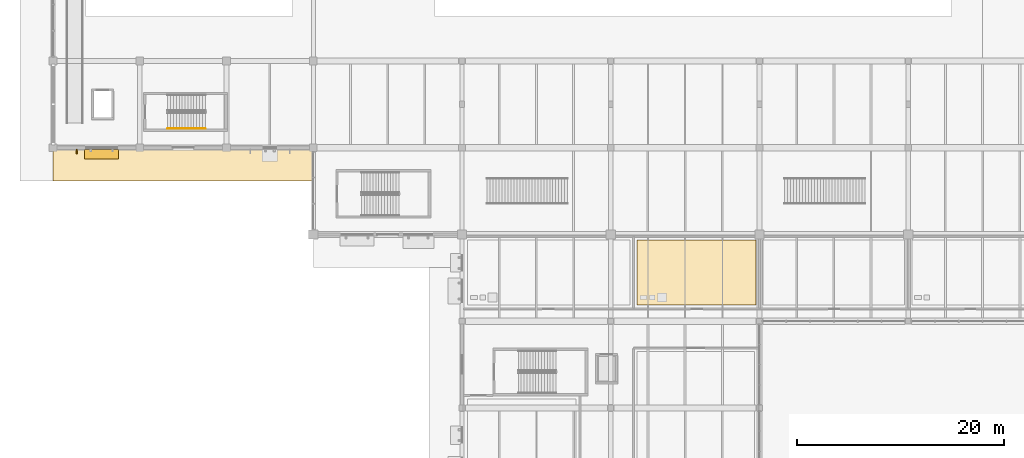
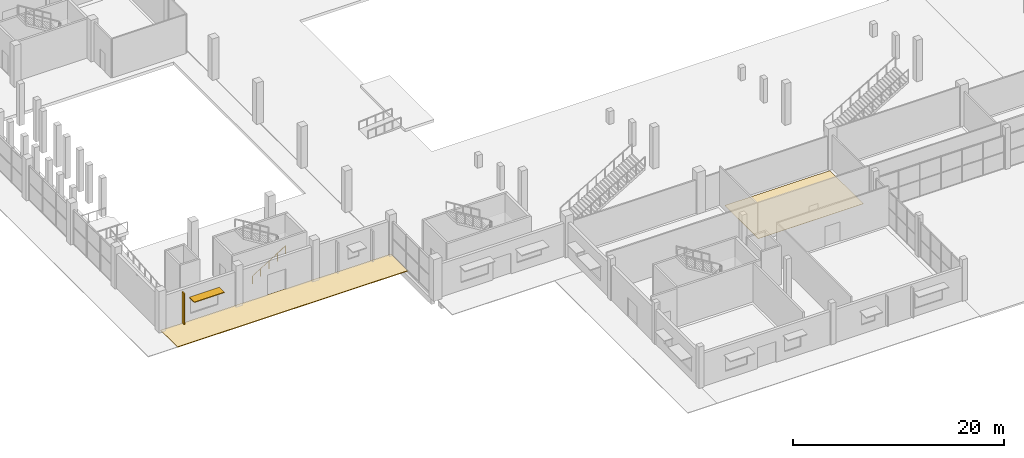
# One storey, part 111 of 130: 2 coverings, 2 shading devices, 1 railing.
"""IFC4 building model written with IfcOpenShell, lengths in metres."""

from ifc_helpers import new_model, si_unit, direction, frame, origin, origin_2d, place, context, subcontext, project, spatial, polyline, rectangle, circle, outline, extrude, material, layer, layer_set, type_object, element, save


model = new_model("IFC4")

# Units and contexts
model_context = context("Model", 3, precision=1e-05, world=origin(), true_north=direction((0.0, 1.0)))
body_context = subcontext(model_context, "Body", "Model", "MODEL_VIEW")
ifc_project = project(units=[si_unit("LENGTHUNIT", "METRE"), si_unit("AREAUNIT", "SQUARE_METRE"), si_unit("VOLUMEUNIT", "CUBIC_METRE"), si_unit("PLANEANGLEUNIT", "RADIAN"), si_unit("MASSUNIT", "GRAM", prefix="KILO"), si_unit("THERMODYNAMICTEMPERATUREUNIT", "KELVIN")], contexts=[model_context])

# Site, building, storey
site_placement = place(None, origin())
site = spatial("IfcSite", under=ifc_project, at=site_placement, CompositionType="ELEMENT")
building_placement = place(site_placement, origin())
building = spatial("IfcBuilding", under=site, at=building_placement, Name="Nduvali Passage Aquatics Centre", CompositionType="ELEMENT")
storey_placement = place(building_placement, origin())
storey = spatial("IfcBuildingStorey", under=building, at=storey_placement, Name="L00", CompositionType="ELEMENT", Elevation=0.0)

# Shading devices
ifc_material_1 = material(Name="Glulam GL28h", Category="wood")
shading_device_type_1 = type_object("IfcShadingDeviceType", Name="ENV-SHD-FIN1", PredefinedType="USERDEFINED", material=ifc_material_1)
shading_device_1_placement = place(storey_placement, frame((2.28759765625, 33.22509765625, 0.2001953125), z_axis=(0.0, 0.0, 1.0), x_axis=(1.0, 0.0, 0.0)))
element("IfcShadingDevice", 1, at=shading_device_1_placement, inside=storey, type_object=shading_device_type_1, Name="L00 Vertical Glulam Facade Fin 0057", ObjectType="VERTICAL FIN", PredefinedType="USERDEFINED", context=body_context, shape_type="SweptSolid", body=[
    extrude(rectangle(XDim=0.1201171875, YDim=0.43994140625, at=origin_2d()), origin(), (0.0, 0.0, 1.0), 3.576416015625),
])
ifc_material_2 = material(Name="Aluminium EN AW-6063 T6", Category="aluminium")
ifc_layer_1 = layer(ifc_material_2, 0.080078125, Name="Aluminium EN AW-6063 T6")
ifc_layer_set_1 = layer_set([ifc_layer_1], Name="Aluminium EN AW-6063 T6")
shading_device_type_2 = type_object("IfcShadingDeviceType", Name="ENV-SHD-SUN2", PredefinedType="AWNING", material=ifc_layer_set_1)
shading_device_2_placement = place(storey_placement, frame((4.699951171875, 32.97509765625, 2.760009765625), z_axis=(0.0, 0.0, 1.0), x_axis=(1.0, 0.0, 0.0)))
element("IfcShadingDevice", 2, at=shading_device_2_placement, inside=storey, type_object=shading_device_type_2, Name="L00 Horizontal Monsoon Sunshade 0056", PredefinedType="AWNING", context=body_context, shape_type="SweptSolid", body=[
    extrude(rectangle(XDim=3.300048828125, YDim=0.949951171875, at=origin_2d()), origin(), (0.0, 0.0, 1.0), 0.080078125),
])

# Covering
ifc_material_3 = material(Name="Anti-slip ceramic pool deck tile")
ifc_layer_2 = layer(ifc_material_3, 0.02490234375, Name="Anti-slip ceramic pool deck tile")
ifc_layer_set_2 = layer_set([ifc_layer_2], Name="Anti-slip ceramic pool deck tile")
covering_type_1 = type_object("IfcCoveringType", Name="INT-COV-TILE", PredefinedType="FLOORING", material=ifc_layer_set_2)
covering_1_placement = place(storey_placement, origin())
element("IfcCovering", 3, at=covering_1_placement, inside=storey, type_object=covering_type_1, Name="L00 Family and Accessible Changing Suite Floor Finish", PredefinedType="FLOORING", context=body_context, shape_type="SweptSolid", body=[
    extrude(outline(polyline([(56.550048828125, 18.35009765625), (68.050048828125, 18.35009765625), (68.050048828125, 24.68994140625), (56.550048828125, 24.68994140625), (56.550048828125, 18.35009765625)])), origin(), (0.0, 0.0, 1.0), 0.02490234375),
])

# Railing
ifc_material_4 = material(Name="Stainless steel balustrade", Category="steel")
railing_type = type_object("IfcRailingType", Name="INT-RLG-HND90", PredefinedType="HANDRAIL", material=ifc_material_4)
railing_placement = place(storey_placement, frame((11.10009765625, 35.449951171875, 0.346435546875)))
element("IfcRailing", 4, at=railing_placement, inside=storey, type_object=railing_type, Name="L00 ST9 stair handrail 1", PredefinedType="HANDRAIL", context=body_context, shape_type="SweptSolid", body=[
    extrude(circle(Radius=0.02392578125, at=origin_2d()), frame((0.0, 0.0, 0.8759765625), z_axis=(0.852850264322, 0.0, 0.5221555579), x_axis=(0.0, 1.0, 0.0)), (0.0, 0.0, 1.0), 4.267822265625),
    extrude(circle(Radius=0.02099609375, at=origin_2d()), origin(), (0.0, 0.0, 1.0), 0.851806640625),
    extrude(circle(Radius=0.02099609375, at=origin_2d()), frame((0.909912109375, 0.0, 0.55712890625)), (0.0, 0.0, 1.0), 0.851806640625),
    extrude(circle(Radius=0.02099609375, at=origin_2d()), frame((1.81982421875, 0.0, 1.1142578125)), (0.0, 0.0, 1.0), 0.851806640625),
    extrude(circle(Radius=0.02099609375, at=origin_2d()), frame((2.72998046875, 0.0, 1.67138671875)), (0.0, 0.0, 1.0), 0.851806640625),
    extrude(circle(Radius=0.02099609375, at=origin_2d()), frame((3.639892578125, 0.0, 2.228515625)), (0.0, 0.0, 1.0), 0.851806640625),
])

# Covering
ifc_material_5 = material(Name="Coral-stone masonry blockwork", Category="masonry")
ifc_layer_3 = layer(ifc_material_5, 0.080078125, Name="Coral-stone masonry blockwork")
ifc_layer_set_3 = layer_set([ifc_layer_3], Name="Coral-stone masonry blockwork")
covering_type_2 = type_object("IfcCoveringType", Name="STR-COV-PAV80", PredefinedType="USERDEFINED", material=ifc_layer_set_3)
covering_2_placement = place(storey_placement, frame((0.0, 0.0, -0.080078125)))
element("IfcCovering", 5, at=covering_2_placement, inside=storey, type_object=covering_type_2, Name="L00 Diving South Exit Paving", ObjectType="PAVING", PredefinedType="USERDEFINED", context=body_context, shape_type="SweptSolid", body=[
    extrude(outline(polyline([(0.0, 30.39990234375), (25.199951171875, 30.39990234375), (25.199951171875, 33.60009765625), (0.0, 33.60009765625), (0.0, 30.39990234375)])), origin(), (0.0, 0.0, 1.0), 0.080078125),
])

save(model, "model.ifc")
